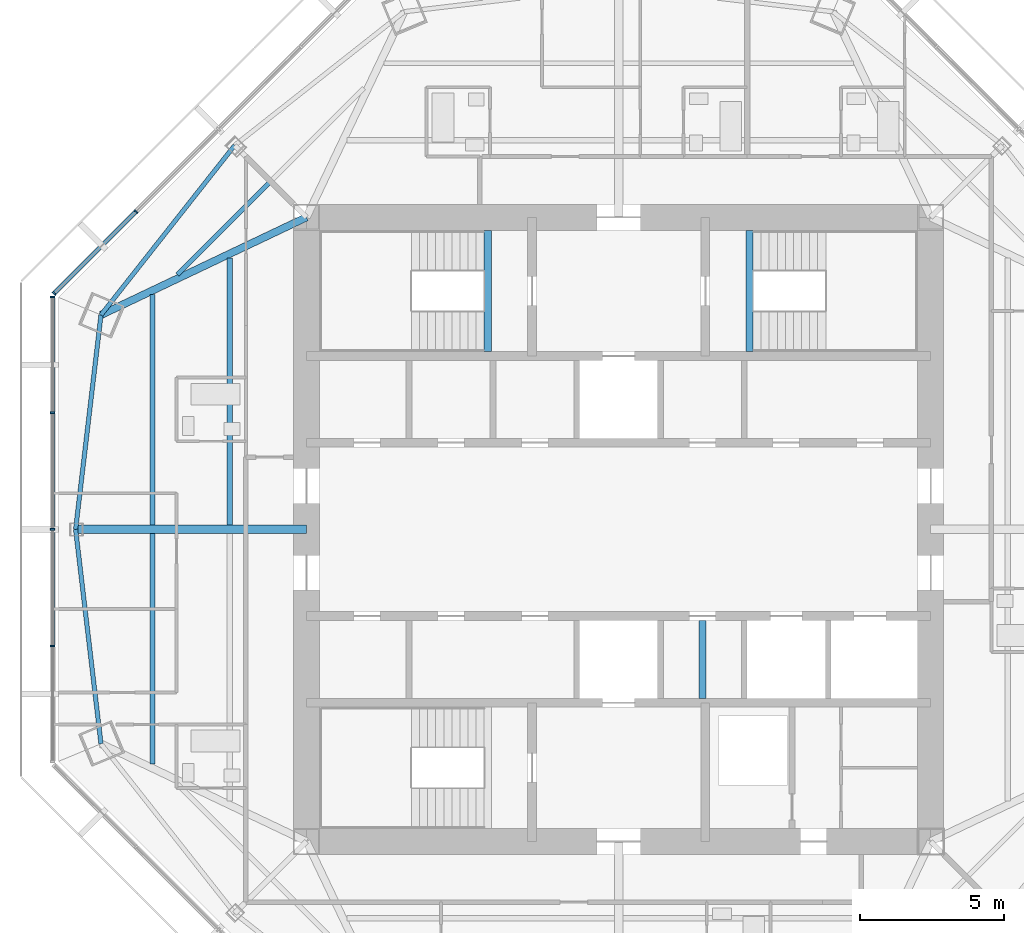
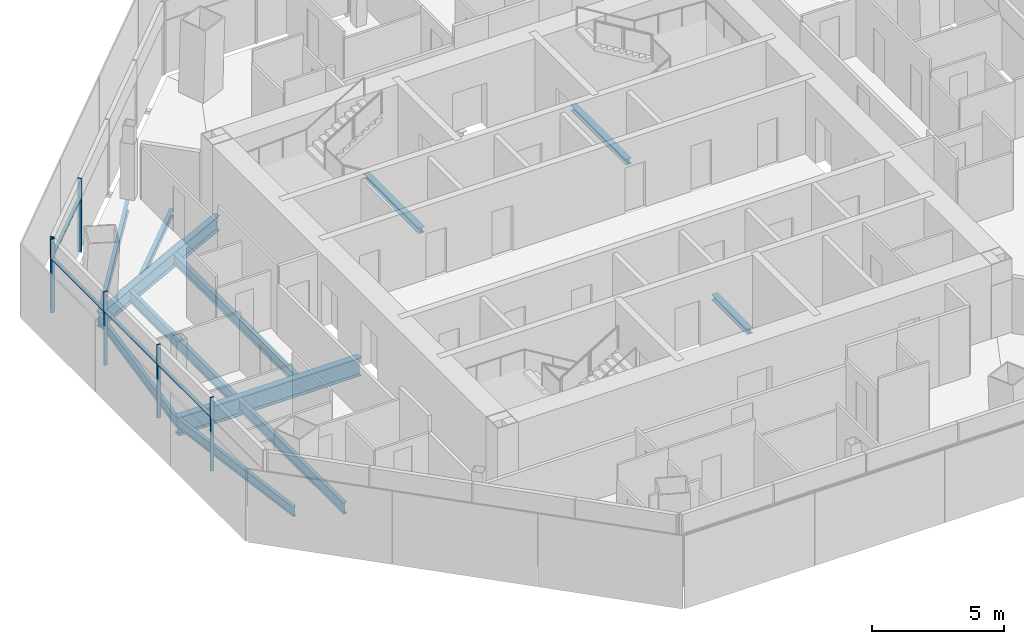
# One storey, part 4 of 15: 12 beams, 10 members, 2 elements without a shape of their own.
"""IFC4 building model written with IfcOpenShell, lengths in metres."""

from ifc_helpers import new_model, si_unit, direction, frame, origin, origin_2d, place, context, subcontext, project, spatial, rectangle, i_section, extrude, source, transform, mapped, material, material_profile, profile_set, type_object, type_shapes, element, aggregate, save


model = new_model("IFC4")

# Units and contexts
model_context = context("Model", 3, precision=1e-05, world=origin(), true_north=direction((0.0, 1.0)))
body_context = subcontext(model_context, "Body", "Model", "MODEL_VIEW")
ifc_project = project(units=[si_unit("LENGTHUNIT", "METRE"), si_unit("AREAUNIT", "SQUARE_METRE"), si_unit("VOLUMEUNIT", "CUBIC_METRE"), si_unit("PLANEANGLEUNIT", "RADIAN"), si_unit("MASSUNIT", "GRAM", prefix="KILO")], contexts=[model_context])

# Site, building, storey
site_placement = place(None, origin())
site = spatial("IfcSite", under=ifc_project, at=site_placement, CompositionType="ELEMENT")
building_placement = place(site_placement, origin())
building = spatial("IfcBuilding", under=site, at=building_placement, Name="Mashrafa Tower", CompositionType="ELEMENT")
storey_placement = place(building_placement, frame((0.0, 0.0, 298.0)))
storey = spatial("IfcBuildingStorey", under=building, at=storey_placement, Name="L73", CompositionType="ELEMENT", Elevation=298.0)

# Beams
ifc_material_1 = material(Name="Steel ASTM A992", Category="steel")
ifc_material_profile_1 = material_profile(ifc_material_1, i_section(OverallWidth=0.164794921875, OverallDepth=0.309814453125, WebThickness=0.005859375, FlangeThickness=0.009765625, FilletRadius=0.007568359375, at=origin_2d()), Name="W12X26")
ifc_profile_set_1 = profile_set([ifc_material_profile_1], Name="Steel ASTM A992")
beam_type_1 = type_object("IfcBeamType", Name="Beam W12X26", PredefinedType="BEAM", material=ifc_profile_set_1)
beam_1_placement = place(storey_placement, frame((-15.268798828125, 8.81787109375, -0.35498046875), z_axis=(0.707079486616, 0.707134074703, 0.0), x_axis=(-0.707134074703, 0.707079486616, 0.0)))
element("IfcBeam", 1, at=beam_1_placement, inside=storey, type_object=beam_type_1, Name="Floor beam L73 003", PredefinedType="BEAM", context=body_context, shape_type="SweptSolid", body=[
    extrude(i_section(OverallWidth=0.164794921875, OverallDepth=0.309814453125, WebThickness=0.005859375, FlangeThickness=0.009765625, FilletRadius=0.007568359375, at=origin_2d()), origin(), (0.0, 0.0, 1.0), 4.472412109375),
])
ifc_material_2 = material(Name="Steel ASTM A992", Category="steel")
ifc_material_profile_2 = material_profile(ifc_material_2, i_section(OverallWidth=0.15234375, OverallDepth=0.449462890625, WebThickness=0.007568359375, FlangeThickness=0.0107421875, FilletRadius=0.01025390625, at=origin_2d()), Name="W18X35")
ifc_profile_set_2 = profile_set([ifc_material_profile_2], Name="Steel ASTM A992")
beam_type_2 = type_object("IfcBeamType", Name="Beam W18X35", PredefinedType="BEAM", material=ifc_profile_set_2)
for number, where, z_axis, x_axis, name in (
    (2, (-18.790283203125, 0.0, -0.4248046875), (0.117540828527, -0.993068050855, 0.0), (0.993068050855, 0.117540828527, 0.0), "Spandrel beam L73 041"),
    (3, (-17.912109375, 7.41943359375, -0.4248046875), (-0.117540828527, -0.993068050855, 0.0), (0.993068050855, -0.117540828527, 0.0), "Spandrel beam L73 043"),
    (4, (-13.286865234375, 13.286865234375, -0.4248046875), (-0.619071991885, -0.785334240221, 0.0), (0.785334240221, -0.619071991885, 0.0), "Spandrel beam L73 045"),
):
    element("IfcBeam", number, at=place(storey_placement, frame(where, z_axis=z_axis, x_axis=x_axis)), inside=storey, type_object=beam_type_2, Name=name, PredefinedType="BEAM", context=body_context, shape_type="SweptSolid", body=[
        extrude(i_section(OverallWidth=0.15234375, OverallDepth=0.449462890625, WebThickness=0.007568359375, FlangeThickness=0.0107421875, FilletRadius=0.01025390625, at=origin_2d()), origin(), (0.0, 0.0, 1.0), 7.47119140625),
    ])
ifc_material_3 = material(Name="Steel ASTM A992", Category="steel")
ifc_material_profile_3 = material_profile(ifc_material_3, i_section(OverallWidth=0.191162109375, OverallDepth=0.459716796875, WebThickness=0.010009765625, FlangeThickness=0.01611328125, FilletRadius=0.01025390625, at=origin_2d()), Name="W18X55")
ifc_profile_set_3 = profile_set([ifc_material_profile_3], Name="Steel ASTM A992")
beam_type_3 = type_object("IfcBeamType", Name="Beam W18X55", PredefinedType="BEAM", material=ifc_profile_set_3)
beam_2_placement = place(storey_placement, frame((-13.46337890625, 0.14599609375, -0.429931640625), z_axis=(0.0, 1.0, 0.0), x_axis=(-1.0, 0.0, 0.0)))
element("IfcBeam", 5, at=beam_2_placement, inside=storey, type_object=beam_type_3, Name="Floor beam L73 005", PredefinedType="BEAM", context=body_context, shape_type="SweptSolid", body=[
    extrude(i_section(OverallWidth=0.191162109375, OverallDepth=0.459716796875, WebThickness=0.010009765625, FlangeThickness=0.01611328125, FilletRadius=0.01025390625, at=origin_2d()), origin(), (0.0, 0.0, 1.0), 9.24609375),
])
ifc_material_4 = material(Name="Steel ASTM A992", Category="steel")
ifc_material_profile_4 = material_profile(ifc_material_4, i_section(OverallWidth=0.165771484375, OverallDepth=0.5283203125, WebThickness=0.009765625, FlangeThickness=0.013671875, FilletRadius=0.012939453125, at=origin_2d()), Name="W21X50")
ifc_profile_set_4 = profile_set([ifc_material_profile_4], Name="Steel ASTM A992")
beam_type_4 = type_object("IfcBeamType", Name="Beam W21X50", PredefinedType="BEAM", material=ifc_profile_set_4)
for number, where, z_axis, x_axis, name in (
    (6, (-16.126953125, -8.126220703125, -0.464111328125), (0.0, 1.0, 0.0), (-1.0, 0.0, 0.0), "Floor beam L73 001"),
    (7, (-16.126953125, 0.14599609375, -0.464111328125), (0.0, 1.0, 0.0), (-1.0, 0.0, 0.0), "Floor beam L73 002"),
):
    element("IfcBeam", number, at=place(storey_placement, frame(where, z_axis=z_axis, x_axis=x_axis)), inside=storey, type_object=beam_type_4, Name=name, PredefinedType="BEAM", context=body_context, shape_type="SweptSolid", body=[
        extrude(i_section(OverallWidth=0.165771484375, OverallDepth=0.5283203125, WebThickness=0.009765625, FlangeThickness=0.013671875, FilletRadius=0.012939453125, at=origin_2d()), origin(), (0.0, 0.0, 1.0), 7.980224609375),
    ])
ifc_material_5 = material(Name="Steel ASTM A992", Category="steel")
ifc_material_profile_5 = material_profile(ifc_material_5, i_section(OverallWidth=0.256591796875, OverallDepth=0.693359375, WebThickness=0.014404296875, FlangeThickness=0.023681640625, FilletRadius=0.01513671875, at=origin_2d()), Name="W27X114")
ifc_profile_set_5 = profile_set([ifc_material_profile_5], Name="Steel ASTM A992")
beam_type_5 = type_object("IfcBeamType", Name="Beam W27X114", PredefinedType="BEAM", material=ifc_profile_set_5)
beam_3_placement = place(storey_placement, frame((-10.800048828125, 10.800048828125, -0.546630859375), z_axis=(-0.903160018061, -0.429304066805, 0.0), x_axis=(0.429304066805, -0.903160018061, 0.0)))
element("IfcBeam", 8, at=beam_3_placement, inside=storey, type_object=beam_type_5, Name="Radial girder L73 029", PredefinedType="BEAM", context=body_context, shape_type="SweptSolid", body=[
    extrude(i_section(OverallWidth=0.256591796875, OverallDepth=0.693359375, WebThickness=0.014404296875, FlangeThickness=0.023681640625, FilletRadius=0.01513671875, at=origin_2d()), origin(), (0.0, 0.0, 1.0), 7.874755859375),
])
ifc_material_6 = material(Name="Steel ASTM A992", Category="steel")
ifc_material_profile_6 = material_profile(ifc_material_6, i_section(OverallWidth=0.2919921875, OverallDepth=0.8408203125, WebThickness=0.0146484375, FlangeThickness=0.021728515625, FilletRadius=0.017333984375, at=origin_2d()), Name="W33X130")
ifc_profile_set_6 = profile_set([ifc_material_profile_6], Name="Steel ASTM A992")
beam_type_6 = type_object("IfcBeamType", Name="Beam W33X130", PredefinedType="BEAM", material=ifc_profile_set_6)
beam_4_placement = place(storey_placement, frame((-10.800048828125, 0.0, -0.620361328125), z_axis=(-1.0, 0.0, 0.0), x_axis=(0.0, -1.0, 0.0)))
element("IfcBeam", 9, at=beam_4_placement, inside=storey, type_object=beam_type_6, Name="Radial girder L73 028", PredefinedType="BEAM", context=body_context, shape_type="SweptSolid", body=[
    extrude(i_section(OverallWidth=0.2919921875, OverallDepth=0.8408203125, WebThickness=0.0146484375, FlangeThickness=0.021728515625, FilletRadius=0.017333984375, at=origin_2d()), origin(), (0.0, 0.0, 1.0), 7.990234375),
])
ifc_material_7 = material(Name="Steel ASTM A992", Category="steel")
ifc_material_profile_7 = material_profile(ifc_material_7, i_section(OverallWidth=0.25390625, OverallDepth=0.25390625, WebThickness=0.008544921875, FlangeThickness=0.01416015625, FilletRadius=0.010009765625, at=origin_2d()), Name="W10X49")
ifc_profile_set_7 = profile_set([ifc_material_profile_7], Name="Steel ASTM A992")
beam_type_7 = type_object("IfcBeamType", Name="Hoistway beam W10X49", PredefinedType="BEAM", material=ifc_profile_set_7)
beam_5_placement = place(storey_placement, frame((2.89990234375, -5.85009765625, -0.326904296875), z_axis=(0.0, 1.0, 0.0), x_axis=(-1.0, 0.0, 0.0)))
element("IfcBeam", 10, at=beam_5_placement, inside=storey, type_object=beam_type_7, Name="Hoistway beam L73 08", PredefinedType="BEAM", context=body_context, shape_type="SweptSolid", body=[
    extrude(i_section(OverallWidth=0.25390625, OverallDepth=0.25390625, WebThickness=0.008544921875, FlangeThickness=0.01416015625, FilletRadius=0.010009765625, at=origin_2d()), origin(), (0.0, 0.0, 1.0), 2.7001953125),
])
for number, where, z_axis, x_axis, name in (
    (11, (-4.530029296875, 6.14990234375, -0.326904296875), (0.0, 1.0, 0.0), (-1.0, 0.0, 0.0), "Stair S1 landing beam L73"),
    (12, (4.530029296875, 6.14990234375, -0.326904296875), (0.0, 1.0, 0.0), (-1.0, 0.0, 0.0), "Stair S2 landing beam L73"),
):
    element("IfcBeam", number, at=place(storey_placement, frame(where, z_axis=z_axis, x_axis=x_axis)), inside=storey, type_object=beam_type_7, Name=name, PredefinedType="BEAM", context=body_context, shape_type="SweptSolid", body=[
        extrude(i_section(OverallWidth=0.25390625, OverallDepth=0.25390625, WebThickness=0.008544921875, FlangeThickness=0.01416015625, FilletRadius=0.010009765625, at=origin_2d()), origin(), (0.0, 0.0, 1.0), 4.2001953125),
    ])

# Curtain wall, members
ifc_material_8 = material(Name="Unitised aluminium curtain wall", Category="aluminium")
curtain_wall_type = type_object("IfcCurtainWallType", Name="Apartment curtain wall, zone 4 CW-D 160 deep", PredefinedType="NOTDEFINED", material=ifc_material_8)
curtain_wall_1_placement = place(storey_placement, origin())
curtain_wall_1 = element("IfcCurtainWall", 13, at=curtain_wall_1_placement, inside=storey, type_object=curtain_wall_type, Name="Apartment curtain wall, zone 4 L73 north-west", PredefinedType="NOTDEFINED")
ifc_material_9 = material(Name="Extruded aluminium mullion", Category="aluminium")
ifc_material_profile_8 = material_profile(ifc_material_9, rectangle(XDim=0.159912109375, YDim=0.06005859375, at=origin_2d()), Name="Mullion 60x160")
ifc_profile_set_8 = profile_set([ifc_material_profile_8], Name="Extruded aluminium mullion")
member_type_1 = type_object("IfcMemberType", Name="Mullion CW-D 60 x 160", PredefinedType="MULLION", material=ifc_profile_set_8)
shared_shape_1 = source(origin(), body_context, "Body", "SweptSolid", [
    extrude(rectangle(XDim=0.159912109375, YDim=0.06005859375, at=origin_2d()), origin(), (0.0, 0.0, 1.0), 3.39990234375),
])
type_shapes(member_type_1, [shared_shape_1])
member_1_placement = place(storey_placement, frame((-16.701416015625, 10.99560546875, 0.0), z_axis=(0.0, 0.0, 1.0), x_axis=(0.707106781187, -0.707106781187, 0.0)))
member_1 = element("IfcMember", 14, at=member_1_placement, type_object=member_type_1, Name="CW-D mullion 4", PredefinedType="MULLION", context=body_context, shape_type="MappedRepresentation", body=[
    mapped(shared_shape_1, transform((0.0, 0.0, 0.0))),
])
member_2_placement = place(storey_placement, frame((-19.532958984375, 8.1640625, 0.0), z_axis=(0.0, 0.0, 1.0), x_axis=(0.707106781187, -0.707106781187, 0.0)))
member_2 = element("IfcMember", 15, at=member_2_placement, type_object=member_type_1, Name="CW-D mullion 5", PredefinedType="MULLION", context=body_context, shape_type="MappedRepresentation", body=[
    mapped(shared_shape_1, transform((0.0, 0.0, 0.0))),
])

curtain_wall_2_placement = place(storey_placement, origin())
curtain_wall_2 = element("IfcCurtainWall", 16, at=curtain_wall_2_placement, inside=storey, type_object=curtain_wall_type, Name="Apartment curtain wall, zone 4 L73 west", PredefinedType="NOTDEFINED")
member_3_placement = place(storey_placement, frame((-19.584716796875, 8.0390625, 0.0), z_axis=(0.0, 0.0, 1.0), x_axis=(1.0, 0.0, 0.0)))
member_3 = element("IfcMember", 17, at=member_3_placement, type_object=member_type_1, Name="CW-D mullion 1", PredefinedType="MULLION", context=body_context, shape_type="MappedRepresentation", body=[
    mapped(shared_shape_1, transform((0.0, 0.0, 0.0))),
])
member_4_placement = place(storey_placement, frame((-19.584716796875, 4.03466796875, 0.0), z_axis=(0.0, 0.0, 1.0), x_axis=(1.0, 0.0, 0.0)))
member_4 = element("IfcMember", 18, at=member_4_placement, type_object=member_type_1, Name="CW-D mullion 2", PredefinedType="MULLION", context=body_context, shape_type="MappedRepresentation", body=[
    mapped(shared_shape_1, transform((0.0, 0.0, 0.0))),
])
member_5_placement = place(storey_placement, frame((-19.584716796875, 0.0, 0.0), z_axis=(0.0, 0.0, 1.0), x_axis=(1.0, 0.0, 0.0)))
member_5 = element("IfcMember", 19, at=member_5_placement, type_object=member_type_1, Name="CW-D mullion 3", PredefinedType="MULLION", context=body_context, shape_type="MappedRepresentation", body=[
    mapped(shared_shape_1, transform((0.0, 0.0, 0.0))),
])
member_6_placement = place(storey_placement, frame((-19.584716796875, -4.03466796875, 0.0), z_axis=(0.0, 0.0, 1.0), x_axis=(1.0, 0.0, 0.0)))
member_6 = element("IfcMember", 20, at=member_6_placement, type_object=member_type_1, Name="CW-D mullion 4", PredefinedType="MULLION", context=body_context, shape_type="MappedRepresentation", body=[
    mapped(shared_shape_1, transform((0.0, 0.0, 0.0))),
])
ifc_material_10 = material(Name="Extruded aluminium transom", Category="aluminium")
ifc_material_profile_9 = material_profile(ifc_material_10, rectangle(XDim=0.1279296875, YDim=0.074951171875, at=origin_2d()), Name="Transom 75x128")
ifc_profile_set_9 = profile_set([ifc_material_profile_9], Name="Extruded aluminium transom")
member_type_2 = type_object("IfcMemberType", Name="Transom CW-D 75 x 128", PredefinedType="MULLION", material=ifc_profile_set_9)
shared_shape_2 = source(origin(), body_context, "Body", "SweptSolid", [
    extrude(rectangle(XDim=0.1279296875, YDim=0.074951171875, at=origin_2d()), origin(), (0.0, 0.0, 1.0), 3.944580078125),
])
member_7_placement = place(storey_placement, frame((-19.584716796875, 8.009033203125, 2.5), z_axis=(0.0, -1.0, 0.0), x_axis=(1.0, 0.0, 0.0)))
member_7 = element("IfcMember", 21, at=member_7_placement, type_object=member_type_2, Name="CW-D transom 1", PredefinedType="MULLION", context=body_context, shape_type="MappedRepresentation", body=[
    mapped(shared_shape_2, transform((0.0, 0.0, 0.0))),
])
shared_shape_3 = source(origin(), body_context, "Body", "SweptSolid", [
    extrude(rectangle(XDim=0.1279296875, YDim=0.074951171875, at=origin_2d()), origin(), (0.0, 0.0, 1.0), 3.974609375),
])
member_8_placement = place(storey_placement, frame((-19.584716796875, 4.004638671875, 2.5), z_axis=(0.0, -1.0, 0.0), x_axis=(1.0, 0.0, 0.0)))
member_8 = element("IfcMember", 22, at=member_8_placement, type_object=member_type_2, Name="CW-D transom 2", PredefinedType="MULLION", context=body_context, shape_type="MappedRepresentation", body=[
    mapped(shared_shape_3, transform((0.0, 0.0, 0.0))),
])
member_9_placement = place(storey_placement, frame((-19.584716796875, -0.030029296875, 2.5), z_axis=(0.0, -1.0, 0.0), x_axis=(1.0, 0.0, 0.0)))
member_9 = element("IfcMember", 23, at=member_9_placement, type_object=member_type_2, Name="CW-D transom 3", PredefinedType="MULLION", context=body_context, shape_type="MappedRepresentation", body=[
    mapped(shared_shape_3, transform((0.0, 0.0, 0.0))),
])
aggregate(curtain_wall_2, [member_3, member_4, member_5, member_6, member_7, member_8, member_9])

# Member
shared_shape_4 = source(origin(), body_context, "Body", "SweptSolid", [
    extrude(rectangle(XDim=0.1279296875, YDim=0.074951171875, at=origin_2d()), origin(), (0.0, 0.0, 1.0), 3.9443359375),
])
type_shapes(member_type_2, [shared_shape_2, shared_shape_3, shared_shape_4])
member_10_placement = place(storey_placement, frame((-16.72265625, 10.974365234375, 2.5), z_axis=(-0.707106781187, -0.707106781187, 0.0), x_axis=(0.707106781187, -0.707106781187, 0.0)))
member_10 = element("IfcMember", 24, at=member_10_placement, type_object=member_type_2, Name="CW-D transom 4", PredefinedType="MULLION", context=body_context, shape_type="MappedRepresentation", body=[
    mapped(shared_shape_4, transform((0.0, 0.0, 0.0))),
])

aggregate(curtain_wall_1, [member_1, member_2, member_10])

save(model, "model.ifc")
